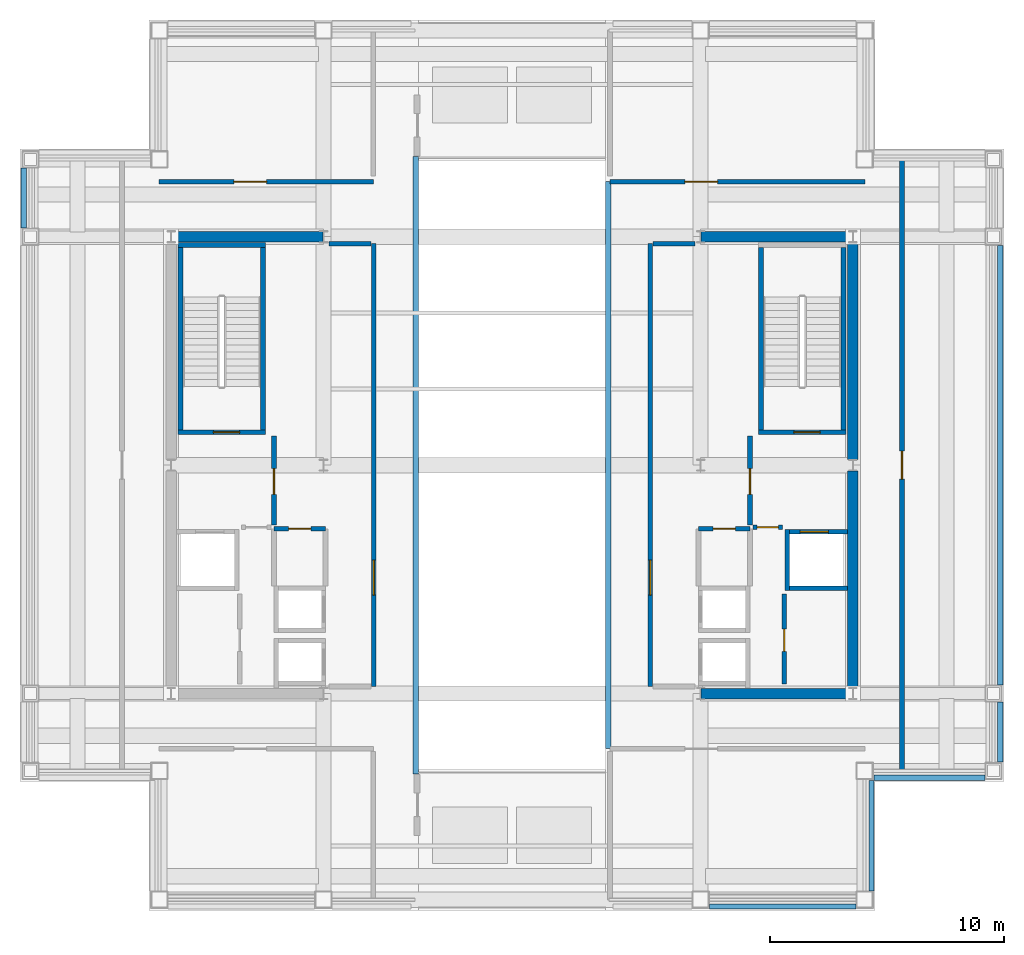
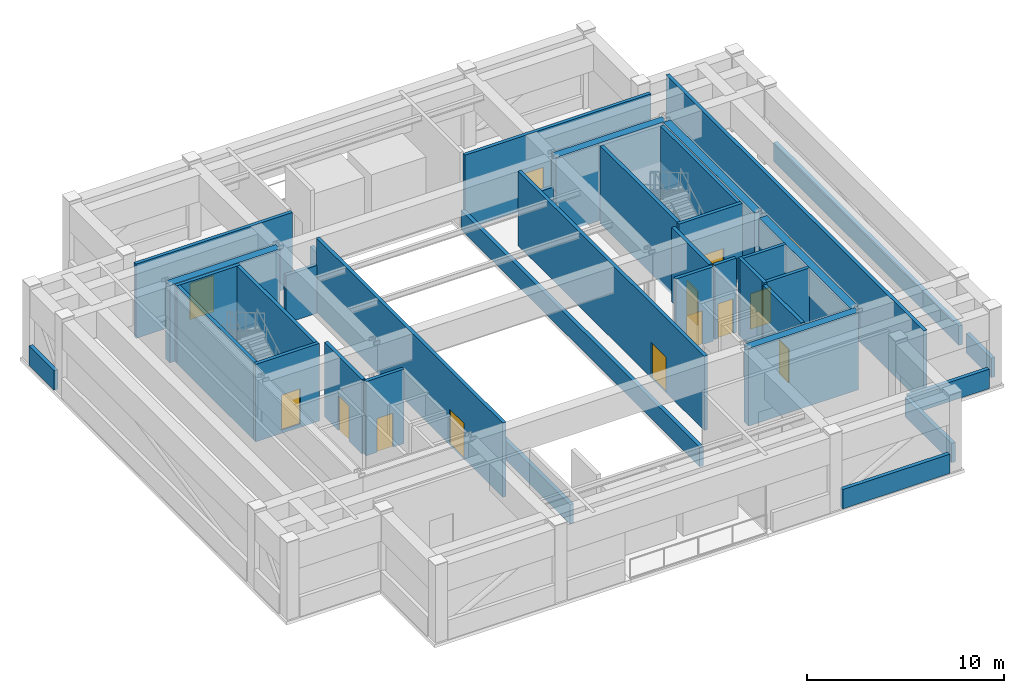
# One storey, part 4 of 8: 36 walls, 14 doors, 14 openings.
"""IFC4 building model written with IfcOpenShell, lengths in metres."""

from ifc_helpers import new_model, si_unit, direction, frame, frame_2d, origin, place, context, subcontext, project, spatial, rectangle, extrude, material, layer, layer_set, type_object, element, fill, save


model = new_model("IFC4")

# Units and contexts
model_context = context("Model", 3, precision=1e-05, world=origin(), true_north=direction((0.0, 1.0)))
body_context = subcontext(model_context, "Body", "Model", "MODEL_VIEW")
ifc_project = project(units=[si_unit("LENGTHUNIT", "METRE"), si_unit("AREAUNIT", "SQUARE_METRE"), si_unit("VOLUMEUNIT", "CUBIC_METRE"), si_unit("PLANEANGLEUNIT", "RADIAN"), si_unit("MASSUNIT", "GRAM", prefix="KILO")], contexts=[model_context])

# Site, building, storey
site_placement = place(None, origin())
site = spatial("IfcSite", under=ifc_project, at=site_placement, CompositionType="ELEMENT")
building_placement = place(site_placement, origin())
building = spatial("IfcBuilding", under=site, at=building_placement, Name="Brelmoor Portico Tower", CompositionType="ELEMENT")
storey_placement = place(building_placement, frame((0.0, 0.0, 209.10009765625)))
storey = spatial("IfcBuildingStorey", under=building, at=storey_placement, Name="L55", CompositionType="ELEMENT", Elevation=209.10009765625)

# Walls
ifc_material_1 = material(Name="Concrete C50", Category="concrete")
ifc_layer_1 = layer(ifc_material_1, 0.449951171875)
ifc_layer_set_1 = layer_set([ifc_layer_1], Name="Concrete C50")
wall_type_1 = type_object("IfcWallType", Name="WL-CORE-450", PredefinedType="SHEAR", material=ifc_layer_set_1)
for number, where, z_axis, x_axis, name in (
    (1, (-14.530029296875, 9.75, -0.2001953125), (0.0, 0.0, 1.0), (1.0, 0.0, 0.0), "L55 WC North Shear Wall"),
    (2, (8.070068359375, -9.75, -0.2001953125), (0.0, 0.0, 1.0), (1.0, 0.0, 0.0), "L55 EC South Shear Wall"),
    (3, (8.070068359375, 9.75, -0.2001953125), (0.0, 0.0, 1.0), (1.0, 0.0, 0.0), "L55 EC North Shear Wall"),
):
    element("IfcWall", number, at=place(storey_placement, frame(where, z_axis=z_axis, x_axis=x_axis)), inside=storey, type_object=wall_type_1, Name=name, PredefinedType="SHEAR", context=body_context, shape_type="SweptSolid", body=[
        extrude(rectangle(XDim=6.4599609375, YDim=0.449951171875, at=frame_2d((3.22998046875, 0.0))), origin(), (0.0, 0.0, 1.0), 4.800048828125),
    ])
for number, where, z_axis, x_axis, name in (
    (4, (14.550048828125, -9.5, -0.2001953125), (0.0, 0.0, 1.0), (0.0, 1.0, 0.0), "L55 EC Outer South Shear Wall"),
    (5, (14.550048828125, 0.25, -0.2001953125), (0.0, 0.0, 1.0), (0.0, 1.0, 0.0), "L55 EC Outer North Shear Wall"),
):
    element("IfcWall", number, at=place(storey_placement, frame(where, z_axis=z_axis, x_axis=x_axis)), inside=storey, type_object=wall_type_1, Name=name, PredefinedType="SHEAR", context=body_context, shape_type="SweptSolid", body=[
        extrude(rectangle(XDim=9.25, YDim=0.449951171875, at=frame_2d((4.625, 0.0))), origin(), (0.0, 0.0, 1.0), 4.800048828125),
    ])
ifc_material_2 = material(Name="Concrete C40 Parapet Upstand", Category="concrete")
ifc_layer_2 = layer(ifc_material_2, 0.219970703125)
ifc_layer_set_2 = layer_set([ifc_layer_2], Name="Concrete C40 Parapet Upstand")
wall_type_2 = type_object("IfcWallType", Name="WL-PARAPET-220", PredefinedType="PARAPET", material=ifc_layer_set_2)
wall_1_placement = place(storey_placement, frame((8.419921875, -18.840087890625, 0.0), z_axis=(0.0, 0.0, 1.0), x_axis=(1.0, 0.0, 0.0)))
element("IfcWall", 6, at=wall_1_placement, inside=storey, type_object=wall_type_2, Name="L55 Plant Louvre Perimeter Upstand 04", PredefinedType="PARAPET", context=body_context, shape_type="SweptSolid", body=[
    extrude(rectangle(XDim=6.260009765625, YDim=0.219970703125, at=frame_2d((3.1298828125, 0.0))), origin(), (0.0, 0.0, 1.0), 1.199951171875),
])
for number, where, z_axis, x_axis, name in (
    (7, (-20.840087890625, 10.1201171875, 0.0), (0.0, 0.0, 1.0), (0.0, 1.0, 0.0), "L55 Plant Louvre Perimeter Upstand 11"),
    (8, (20.840087890625, -12.679931640625, 0.0), (0.0, 0.0, 1.0), (0.0, 1.0, 0.0), "L55 Plant Louvre Perimeter Upstand 12"),
):
    element("IfcWall", number, at=place(storey_placement, frame(where, z_axis=z_axis, x_axis=x_axis)), inside=storey, type_object=wall_type_2, Name=name, PredefinedType="PARAPET", context=body_context, shape_type="SweptSolid", body=[
        extrude(rectangle(XDim=2.559814453125, YDim=0.219970703125, at=frame_2d((1.27978515625, 0.0))), origin(), (0.0, 0.0, 1.0), 1.199951171875),
    ])
wall_2_placement = place(storey_placement, frame((20.840087890625, -9.3798828125, 0.0), z_axis=(0.0, 0.0, 1.0), x_axis=(0.0, 1.0, 0.0)))
element("IfcWall", 9, at=wall_2_placement, inside=storey, type_object=wall_type_2, Name="L55 Plant Louvre Perimeter Upstand 13", PredefinedType="PARAPET", context=body_context, shape_type="SweptSolid", body=[
    extrude(rectangle(XDim=18.759765625, YDim=0.219970703125, at=frame_2d((9.3798828125, 0.0))), origin(), (0.0, 0.0, 1.0), 1.199951171875),
])
for number, where, z_axis, x_axis, name in (
    (10, (15.340087890625, -18.179931640625, 0.0), (0.0, 0.0, 1.0), (0.0, 1.0, 0.0), "L55 Plant Louvre Perimeter Upstand 17"),
    (11, (15.4599609375, -13.340087890625, 0.0), (0.0, 0.0, 1.0), (1.0, 0.0, 0.0), "L55 Plant Louvre Perimeter Upstand 18"),
):
    element("IfcWall", number, at=place(storey_placement, frame(where, z_axis=z_axis, x_axis=x_axis)), inside=storey, type_object=wall_type_2, Name=name, PredefinedType="PARAPET", context=body_context, shape_type="SweptSolid", body=[
        extrude(rectangle(XDim=4.719970703125, YDim=0.219970703125, at=frame_2d((2.35986328125, 0.0))), origin(), (0.0, 0.0, 1.0), 1.199951171875),
    ])
wall_3_placement = place(storey_placement, frame((-4.110107421875, -13.179931640625, 0.0), z_axis=(0.0, 0.0, 1.0), x_axis=(0.0, 1.0, 0.0)))
element("IfcWall", 12, at=wall_3_placement, inside=storey, type_object=wall_type_2, Name="L55 Wind-Turbine Slot Parapet W", PredefinedType="PARAPET", context=body_context, shape_type="SweptSolid", body=[
    extrude(rectangle(XDim=26.35986328125, YDim=0.219970703125, at=frame_2d((13.179931640625, 0.0))), origin(), (0.0, 0.0, 1.0), 1.199951171875),
])
wall_4_placement = place(storey_placement, frame((4.110107421875, -12.10009765625, 0.0), z_axis=(0.0, 0.0, 1.0), x_axis=(0.0, 1.0, 0.0)))
element("IfcWall", 13, at=wall_4_placement, inside=storey, type_object=wall_type_2, Name="L55 Wind-Turbine Slot Parapet E", PredefinedType="PARAPET", context=body_context, shape_type="SweptSolid", body=[
    extrude(rectangle(XDim=24.2001953125, YDim=0.219970703125, at=frame_2d((12.10009765625, 0.0))), origin(), (0.0, 0.0, 1.0), 1.199951171875),
])

# Wall, opening, door
ifc_material_3 = material(Name="Double-Stud Gypsum Fire Partition", Category="gypsum")
ifc_layer_3 = layer(ifc_material_3, 0.199951171875)
ifc_layer_set_3 = layer_set([ifc_layer_3], Name="Double-Stud Gypsum Fire Partition")
wall_type_3 = type_object("IfcWallType", Name="WL-PART-200", PredefinedType="PARTITIONING", material=ifc_layer_set_3)
wall_5_placement = place(storey_placement, frame((-5.89990234375, -9.449951171875, 0.0), z_axis=(0.0, 0.0, 1.0), x_axis=(0.0, 1.0, 0.0)))
wall_5 = element("IfcWall", 14, at=wall_5_placement, inside=storey, type_object=wall_type_3, Name="L55 W Core Lobby Compartment Wall", PredefinedType="PARTITIONING", context=body_context, shape_type="SweptSolid", body=[
    extrude(rectangle(XDim=18.89990234375, YDim=0.199951171875, at=frame_2d((9.449951171875, 0.0))), origin(), (0.0, 0.0, 1.0), 4.599853515625),
])
opening_1_placement = place(wall_5_placement, frame((3.89990234375, 0.0, 0.0)))
opening_1 = element("IfcOpeningElement", 15, at=opening_1_placement, cuts=wall_5, Name="Opening D-LB1", PredefinedType="OPENING", context=body_context, shape_type="SweptSolid", body=[
    extrude(rectangle(XDim=1.5, YDim=2.199951171875, at=frame_2d((0.75, 1.10009765625))), frame((0.0, 0.10986328125, 0.0), z_axis=(0.0, -1.0, 0.0), x_axis=(1.0, 0.0, 0.0)), (0.0, 0.0, 1.0), 0.219970703125),
])
ifc_material_4 = material(Name="Double-Leaf Glazed Steel Fire Door", Category="steel")
door_type_1 = type_object("IfcDoorType", Name="DR-LOBBY-1500", OperationType="NOTDEFINED", PredefinedType="DOOR", material=ifc_material_4)
door_1_placement = place(opening_1_placement, origin())
door_1 = element("IfcDoor", 16, at=door_1_placement, inside=storey, type_object=door_type_1, Name="D-2309 L55 W Lift Lobby Main Door", OperationType="DOUBLE_DOOR_SINGLE_SWING", OverallHeight=2.199951171875, OverallWidth=1.5, PredefinedType="DOOR", context=body_context, shape_type="SweptSolid", body=[
    extrude(rectangle(XDim=1.5, YDim=2.199951171875, at=frame_2d((0.75, 1.10009765625))), frame((0.0, 0.02490234375, 0.0), z_axis=(0.0, -1.0, 0.0), x_axis=(1.0, 0.0, 0.0)), (0.0, 0.0, 1.0), 0.050048828125),
])
fill(opening_1, door_1)

# Wall
wall_6_placement = place(storey_placement, frame((-6.02001953125, 9.449951171875, 0.0), z_axis=(0.0, 0.0, 1.0), x_axis=(-1.0, 0.0, 0.0)))
element("IfcWall", 17, at=wall_6_placement, inside=storey, type_object=wall_type_3, Name="L55 W Lift Lobby North End Wall", PredefinedType="PARTITIONING", context=body_context, shape_type="SweptSolid", body=[
    extrude(rectangle(XDim=1.800048828125, YDim=0.199951171875, at=frame_2d((0.89990234375, 0.0))), origin(), (0.0, 0.0, 1.0), 2.9599609375),
])

# Wall, opening, door
wall_7_placement = place(storey_placement, frame((-10.159912109375, -2.550048828125, 0.0), z_axis=(0.0, 0.0, 1.0), x_axis=(0.0, 1.0, 0.0)))
wall_7 = element("IfcWall", 18, at=wall_7_placement, inside=storey, type_object=wall_type_3, Name="L55 W Firefighting Lobby Wall", PredefinedType="PARTITIONING", context=body_context, shape_type="SweptSolid", body=[
    extrude(rectangle(XDim=3.800048828125, YDim=0.199951171875, at=frame_2d((1.89990234375, 0.0))), origin(), (0.0, 0.0, 1.0), 4.599853515625),
])
opening_2_placement = place(wall_7_placement, frame((1.300048828125, 0.0, 0.0)))
opening_2 = element("IfcOpeningElement", 19, at=opening_2_placement, cuts=wall_7, Name="Opening D-FR1", PredefinedType="OPENING", context=body_context, shape_type="SweptSolid", body=[
    extrude(rectangle(XDim=1.10009765625, YDim=2.14990234375, at=frame_2d((0.550048828125, 1.074951171875))), frame((0.0, 0.10986328125, 0.0), z_axis=(0.0, -1.0, 0.0), x_axis=(1.0, 0.0, 0.0)), (0.0, 0.0, 1.0), 0.219970703125),
])
ifc_material_5 = material(Name="Painted Galvanised Steel Fire Door", Category="steel")
door_type_2 = type_object("IfcDoorType", Name="DR-FIRE-1100", OperationType="NOTDEFINED", PredefinedType="DOOR", material=ifc_material_5)
door_2_placement = place(opening_2_placement, origin())
door_2 = element("IfcDoor", 20, at=door_2_placement, inside=storey, type_object=door_type_2, Name="D-2307 L55 W Firefighting Lobby Door", OperationType="SINGLE_SWING_RIGHT", OverallHeight=2.14990234375, OverallWidth=1.10009765625, PredefinedType="DOOR", context=body_context, shape_type="SweptSolid", body=[
    extrude(rectangle(XDim=1.10009765625, YDim=2.14990234375, at=frame_2d((0.550048828125, 1.074951171875))), frame((0.0, 0.02490234375, 0.0), z_axis=(0.0, -1.0, 0.0), x_axis=(1.0, 0.0, 0.0)), (0.0, 0.0, 1.0), 0.050048828125),
])
fill(opening_2, door_2)

wall_8_placement = place(storey_placement, frame((-7.9599609375, -2.719970703125, 0.0), z_axis=(0.0, 0.0, 1.0), x_axis=(-1.0, 0.0, 0.0)))
wall_8 = element("IfcWall", 21, at=wall_8_placement, inside=storey, type_object=wall_type_3, Name="L55 W Electrical Switchgear Closet Wall", PredefinedType="PARTITIONING", context=body_context, shape_type="SweptSolid", body=[
    extrude(rectangle(XDim=2.199951171875, YDim=0.199951171875, at=frame_2d((1.10009765625, 0.0))), origin(), (0.0, 0.0, 1.0), 4.599853515625),
])
opening_3_placement = place(wall_8_placement, frame((0.6201171875, 0.0, 0.0)))
opening_3 = element("IfcOpeningElement", 22, at=opening_3_placement, cuts=wall_8, Name="Opening D-FR4", PredefinedType="OPENING", context=body_context, shape_type="SweptSolid", body=[
    extrude(rectangle(XDim=0.949951171875, YDim=2.10009765625, at=frame_2d((0.47509765625, 1.050048828125))), frame((0.0, 0.10986328125, 0.0), z_axis=(0.0, -1.0, 0.0), x_axis=(1.0, 0.0, 0.0)), (0.0, 0.0, 1.0), 0.219970703125),
])
ifc_material_6 = material(Name="Painted Galvanised Steel Riser Door", Category="steel")
door_type_3 = type_object("IfcDoorType", Name="DR-FIRE-950", OperationType="NOTDEFINED", PredefinedType="DOOR", material=ifc_material_6)
door_3_placement = place(opening_3_placement, origin())
door_3 = element("IfcDoor", 23, at=door_3_placement, inside=storey, type_object=door_type_3, Name="D-2305 L55 W Electrical Switchgear Closet Door", OperationType="SINGLE_SWING_RIGHT", OverallHeight=2.10009765625, OverallWidth=0.949951171875, PredefinedType="DOOR", context=body_context, shape_type="SweptSolid", body=[
    extrude(rectangle(XDim=0.949951171875, YDim=2.10009765625, at=frame_2d((0.47509765625, 1.050048828125))), frame((0.0, 0.02490234375, 0.0), z_axis=(0.0, -1.0, 0.0), x_axis=(1.0, 0.0, 0.0)), (0.0, 0.0, 1.0), 0.050048828125),
])
fill(opening_3, door_3)

wall_9_placement = place(storey_placement, frame((5.89990234375, -9.449951171875, 0.0), z_axis=(0.0, 0.0, 1.0), x_axis=(0.0, 1.0, 0.0)))
wall_9 = element("IfcWall", 24, at=wall_9_placement, inside=storey, type_object=wall_type_3, Name="L55 E Core Lobby Compartment Wall", PredefinedType="PARTITIONING", context=body_context, shape_type="SweptSolid", body=[
    extrude(rectangle(XDim=18.89990234375, YDim=0.199951171875, at=frame_2d((9.449951171875, 0.0))), origin(), (0.0, 0.0, 1.0), 4.599853515625),
])
opening_4_placement = place(wall_9_placement, frame((3.89990234375, 0.0, 0.0)))
opening_4 = element("IfcOpeningElement", 25, at=opening_4_placement, cuts=wall_9, Name="Opening D-LB1", PredefinedType="OPENING", context=body_context, shape_type="SweptSolid", body=[
    extrude(rectangle(XDim=1.5, YDim=2.199951171875, at=frame_2d((0.75, 1.10009765625))), frame((0.0, 0.10986328125, 0.0), z_axis=(0.0, -1.0, 0.0), x_axis=(1.0, 0.0, 0.0)), (0.0, 0.0, 1.0), 0.219970703125),
])
door_4_placement = place(opening_4_placement, origin())
door_4 = element("IfcDoor", 26, at=door_4_placement, inside=storey, type_object=door_type_1, Name="D-2308 L55 E Lift Lobby Main Door", OperationType="DOUBLE_DOOR_SINGLE_SWING", OverallHeight=2.199951171875, OverallWidth=1.5, PredefinedType="DOOR", context=body_context, shape_type="SweptSolid", body=[
    extrude(rectangle(XDim=1.5, YDim=2.199951171875, at=frame_2d((0.75, 1.10009765625))), frame((0.0, 0.02490234375, 0.0), z_axis=(0.0, -1.0, 0.0), x_axis=(1.0, 0.0, 0.0)), (0.0, 0.0, 1.0), 0.050048828125),
])
fill(opening_4, door_4)

# Wall
wall_10_placement = place(storey_placement, frame((6.02001953125, 9.449951171875, 0.0), z_axis=(0.0, 0.0, 1.0), x_axis=(1.0, 0.0, 0.0)))
element("IfcWall", 27, at=wall_10_placement, inside=storey, type_object=wall_type_3, Name="L55 E Lift Lobby North End Wall", PredefinedType="PARTITIONING", context=body_context, shape_type="SweptSolid", body=[
    extrude(rectangle(XDim=1.800048828125, YDim=0.199951171875, at=frame_2d((0.89990234375, 0.0))), origin(), (0.0, 0.0, 1.0), 2.9599609375),
])

# Wall, opening, door
wall_11_placement = place(storey_placement, frame((10.159912109375, -2.550048828125, 0.0), z_axis=(0.0, 0.0, 1.0), x_axis=(0.0, 1.0, 0.0)))
wall_11 = element("IfcWall", 28, at=wall_11_placement, inside=storey, type_object=wall_type_3, Name="L55 E Firefighting Lobby Wall", PredefinedType="PARTITIONING", context=body_context, shape_type="SweptSolid", body=[
    extrude(rectangle(XDim=3.800048828125, YDim=0.199951171875, at=frame_2d((1.89990234375, 0.0))), origin(), (0.0, 0.0, 1.0), 4.599853515625),
])
opening_5_placement = place(wall_11_placement, frame((1.300048828125, 0.0, 0.0)))
opening_5 = element("IfcOpeningElement", 29, at=opening_5_placement, cuts=wall_11, Name="Opening D-FR1", PredefinedType="OPENING", context=body_context, shape_type="SweptSolid", body=[
    extrude(rectangle(XDim=1.10009765625, YDim=2.14990234375, at=frame_2d((0.550048828125, 1.074951171875))), frame((0.0, 0.10986328125, 0.0), z_axis=(0.0, -1.0, 0.0), x_axis=(1.0, 0.0, 0.0)), (0.0, 0.0, 1.0), 0.219970703125),
])
door_5_placement = place(opening_5_placement, origin())
door_5 = element("IfcDoor", 30, at=door_5_placement, inside=storey, type_object=door_type_2, Name="D-2306 L55 E Firefighting Lobby Door", OperationType="SINGLE_SWING_RIGHT", OverallHeight=2.14990234375, OverallWidth=1.10009765625, PredefinedType="DOOR", context=body_context, shape_type="SweptSolid", body=[
    extrude(rectangle(XDim=1.10009765625, YDim=2.14990234375, at=frame_2d((0.550048828125, 1.074951171875))), frame((0.0, 0.02490234375, 0.0), z_axis=(0.0, -1.0, 0.0), x_axis=(1.0, 0.0, 0.0)), (0.0, 0.0, 1.0), 0.050048828125),
])
fill(opening_5, door_5)

wall_12_placement = place(storey_placement, frame((10.280029296875, -2.64990234375, 0.0), z_axis=(0.0, 0.0, 1.0), x_axis=(1.0, 0.0, 0.0)))
wall_12 = element("IfcWall", 31, at=wall_12_placement, inside=storey, type_object=wall_type_3, Name="L55 E Firefighting Lobby South Wall", PredefinedType="PARTITIONING", context=body_context, shape_type="SweptSolid", body=[
    extrude(rectangle(XDim=1.27001953125, YDim=0.199951171875, at=frame_2d((0.635009765625, 0.0))), origin(), (0.0, 0.0, 1.0), 4.599853515625),
])
opening_6_placement = place(wall_12_placement, frame((0.18505859375, 0.0, 0.0)))
opening_6 = element("IfcOpeningElement", 32, at=opening_6_placement, cuts=wall_12, Name="Opening D-IN1", PredefinedType="OPENING", context=body_context, shape_type="SweptSolid", body=[
    extrude(rectangle(XDim=0.89990234375, YDim=2.14990234375, at=frame_2d((0.449951171875, 1.074951171875))), frame((0.0, 0.10986328125, 0.0), z_axis=(0.0, -1.0, 0.0), x_axis=(1.0, 0.0, 0.0)), (0.0, 0.0, 1.0), 0.219970703125),
])
ifc_material_7 = material(Name="Lacquered Timber Suite Door", Category="wood")
door_type_4 = type_object("IfcDoorType", Name="DR-INT-900", OperationType="NOTDEFINED", PredefinedType="DOOR", material=ifc_material_7)
door_6_placement = place(opening_6_placement, origin())
door_6 = element("IfcDoor", 33, at=door_6_placement, inside=storey, type_object=door_type_4, Name="D-2302 L55 E Core Service Vestibule Door", OperationType="SINGLE_SWING_LEFT", OverallHeight=2.14990234375, OverallWidth=0.89990234375, PredefinedType="DOOR", context=body_context, shape_type="SweptSolid", body=[
    extrude(rectangle(XDim=0.89990234375, YDim=2.14990234375, at=frame_2d((0.449951171875, 1.074951171875))), frame((0.0, 0.02490234375, 0.0), z_axis=(0.0, -1.0, 0.0), x_axis=(1.0, 0.0, 0.0)), (0.0, 0.0, 1.0), 0.050048828125),
])
fill(opening_6, door_6)

wall_13_placement = place(storey_placement, frame((7.9599609375, -2.719970703125, 0.0), z_axis=(0.0, 0.0, 1.0), x_axis=(1.0, 0.0, 0.0)))
wall_13 = element("IfcWall", 34, at=wall_13_placement, inside=storey, type_object=wall_type_3, Name="L55 E Electrical Switchgear Closet Wall", PredefinedType="PARTITIONING", context=body_context, shape_type="SweptSolid", body=[
    extrude(rectangle(XDim=2.199951171875, YDim=0.199951171875, at=frame_2d((1.10009765625, 0.0))), origin(), (0.0, 0.0, 1.0), 4.599853515625),
])
opening_7_placement = place(wall_13_placement, frame((0.6201171875, 0.0, 0.0)))
opening_7 = element("IfcOpeningElement", 35, at=opening_7_placement, cuts=wall_13, Name="Opening D-FR4", PredefinedType="OPENING", context=body_context, shape_type="SweptSolid", body=[
    extrude(rectangle(XDim=0.949951171875, YDim=2.10009765625, at=frame_2d((0.47509765625, 1.050048828125))), frame((0.0, 0.10986328125, 0.0), z_axis=(0.0, -1.0, 0.0), x_axis=(1.0, 0.0, 0.0)), (0.0, 0.0, 1.0), 0.219970703125),
])
door_7_placement = place(opening_7_placement, origin())
door_7 = element("IfcDoor", 36, at=door_7_placement, inside=storey, type_object=door_type_3, Name="D-2304 L55 E Electrical Switchgear Closet Door", OperationType="SINGLE_SWING_RIGHT", OverallHeight=2.10009765625, OverallWidth=0.949951171875, PredefinedType="DOOR", context=body_context, shape_type="SweptSolid", body=[
    extrude(rectangle(XDim=0.949951171875, YDim=2.10009765625, at=frame_2d((0.47509765625, 1.050048828125))), frame((0.0, 0.02490234375, 0.0), z_axis=(0.0, -1.0, 0.0), x_axis=(1.0, 0.0, 0.0)), (0.0, 0.0, 1.0), 0.050048828125),
])
fill(opening_7, door_7)

wall_14_placement = place(storey_placement, frame((11.6201171875, -9.35009765625, 0.0), z_axis=(0.0, 0.0, 1.0), x_axis=(0.0, 1.0, 0.0)))
wall_14 = element("IfcWall", 37, at=wall_14_placement, inside=storey, type_object=wall_type_3, Name="L55 E Mechanical Equipment Closet Wall", PredefinedType="PARTITIONING", context=body_context, shape_type="SweptSolid", body=[
    extrude(rectangle(XDim=3.85009765625, YDim=0.199951171875, at=frame_2d((1.925048828125, 0.0))), origin(), (0.0, 0.0, 1.0), 4.599853515625),
])
opening_8_placement = place(wall_14_placement, frame((1.39990234375, 0.0, 0.0)))
opening_8 = element("IfcOpeningElement", 38, at=opening_8_placement, cuts=wall_14, Name="Opening D-FR4", PredefinedType="OPENING", context=body_context, shape_type="SweptSolid", body=[
    extrude(rectangle(XDim=0.949951171875, YDim=2.10009765625, at=frame_2d((0.47509765625, 1.050048828125))), frame((0.0, 0.10986328125, 0.0), z_axis=(0.0, -1.0, 0.0), x_axis=(1.0, 0.0, 0.0)), (0.0, 0.0, 1.0), 0.219970703125),
])
door_8_placement = place(opening_8_placement, origin())
door_8 = element("IfcDoor", 39, at=door_8_placement, inside=storey, type_object=door_type_3, Name="D-2300 L55 E Mechanical Equipment Closet Door", OperationType="SINGLE_SWING_LEFT", OverallHeight=2.10009765625, OverallWidth=0.949951171875, PredefinedType="DOOR", context=body_context, shape_type="SweptSolid", body=[
    extrude(rectangle(XDim=0.949951171875, YDim=2.10009765625, at=frame_2d((0.47509765625, 1.050048828125))), frame((0.0, 0.02490234375, 0.0), z_axis=(0.0, -1.0, 0.0), x_axis=(1.0, 0.0, 0.0)), (0.0, 0.0, 1.0), 0.050048828125),
])
fill(opening_8, door_8)

wall_15_placement = place(storey_placement, frame((16.64990234375, -13.070068359375, 0.0), z_axis=(0.0, 0.0, 1.0), x_axis=(0.0, 1.0, 0.0)))
wall_15 = element("IfcWall", 40, at=wall_15_placement, inside=storey, type_object=wall_type_3, Name="L55 Pressurised Refuge Area East Fire Wall", PredefinedType="PARTITIONING", context=body_context, shape_type="SweptSolid", body=[
    extrude(rectangle(XDim=26.14013671875, YDim=0.199951171875, at=frame_2d((13.070068359375, 0.0))), origin(), (0.0, 0.0, 1.0), 4.599853515625),
])
opening_9_placement = place(wall_15_placement, frame((12.469970703125, 0.0, 0.0)))
opening_9 = element("IfcOpeningElement", 41, at=opening_9_placement, cuts=wall_15, Name="Opening D-FR3", PredefinedType="OPENING", context=body_context, shape_type="SweptSolid", body=[
    extrude(rectangle(XDim=1.199951171875, YDim=2.219970703125, at=frame_2d((0.60009765625, 1.10986328125))), frame((0.0, 0.10986328125, 0.0), z_axis=(0.0, -1.0, 0.0), x_axis=(1.0, 0.0, 0.0)), (0.0, 0.0, 1.0), 0.219970703125),
])
door_type_5 = type_object("IfcDoorType", Name="DR-FIRE-1200", OperationType="NOTDEFINED", PredefinedType="DOOR", material=ifc_material_5)
door_9_placement = place(opening_9_placement, origin())
door_9 = element("IfcDoor", 42, at=door_9_placement, inside=storey, type_object=door_type_5, Name="D-2314 L55 Pressurised Refuge Area East Door", OperationType="SINGLE_SWING_LEFT", OverallHeight=2.219970703125, OverallWidth=1.199951171875, PredefinedType="DOOR", context=body_context, shape_type="SweptSolid", body=[
    extrude(rectangle(XDim=1.199951171875, YDim=2.219970703125, at=frame_2d((0.60009765625, 1.10986328125))), frame((0.0, 0.02490234375, 0.0), z_axis=(0.0, -1.0, 0.0), x_axis=(1.0, 0.0, 0.0)), (0.0, 0.0, 1.0), 0.050048828125),
])
fill(opening_9, door_9)

wall_16_placement = place(storey_placement, frame((-15.070068359375, 12.10009765625, 0.0), z_axis=(0.0, 0.0, 1.0), x_axis=(1.0, 0.0, 0.0)))
wall_16 = element("IfcWall", 43, at=wall_16_placement, inside=storey, type_object=wall_type_3, Name="L55 Chiller and Heat-Exchanger Plant Wall", PredefinedType="PARTITIONING", context=body_context, shape_type="SweptSolid", body=[
    extrude(rectangle(XDim=9.150146484375, YDim=0.199951171875, at=frame_2d((4.5751953125, 0.0))), origin(), (0.0, 0.0, 1.0), 4.599853515625),
])
opening_10_placement = place(wall_16_placement, frame((3.199951171875, 0.0, 0.0)))
opening_10 = element("IfcOpeningElement", 44, at=opening_10_placement, cuts=wall_16, Name="Opening D-PL1", PredefinedType="OPENING", context=body_context, shape_type="SweptSolid", body=[
    extrude(rectangle(XDim=1.39990234375, YDim=2.25, at=frame_2d((0.699951171875, 1.125))), frame((0.0, 0.10986328125, 0.0), z_axis=(0.0, -1.0, 0.0), x_axis=(1.0, 0.0, 0.0)), (0.0, 0.0, 1.0), 0.219970703125),
])
ifc_material_8 = material(Name="Double-Leaf Acoustic Steel Plant Door", Category="steel")
door_type_6 = type_object("IfcDoorType", Name="DR-PLANT-1400", OperationType="NOTDEFINED", PredefinedType="DOOR", material=ifc_material_8)
door_10_placement = place(opening_10_placement, origin())
door_10 = element("IfcDoor", 45, at=door_10_placement, inside=storey, type_object=door_type_6, Name="D-2311 L55 Chiller and Heat-Exchanger Plant Door", OperationType="DOUBLE_DOOR_SINGLE_SWING", OverallHeight=2.25, OverallWidth=1.39990234375, PredefinedType="DOOR", context=body_context, shape_type="SweptSolid", body=[
    extrude(rectangle(XDim=1.39990234375, YDim=2.25, at=frame_2d((0.699951171875, 1.125))), frame((0.0, 0.02490234375, 0.0), z_axis=(0.0, -1.0, 0.0), x_axis=(1.0, 0.0, 0.0)), (0.0, 0.0, 1.0), 0.050048828125),
])
fill(opening_10, door_10)

wall_17_placement = place(storey_placement, frame((4.179931640625, 12.10009765625, 0.0), z_axis=(0.0, 0.0, 1.0), x_axis=(1.0, 0.0, 0.0)))
wall_17 = element("IfcWall", 46, at=wall_17_placement, inside=storey, type_object=wall_type_3, Name="L55 Primary Air-Handling Plant Wall", PredefinedType="PARTITIONING", context=body_context, shape_type="SweptSolid", body=[
    extrude(rectangle(XDim=10.89013671875, YDim=0.199951171875, at=frame_2d((5.445068359375, 0.0))), origin(), (0.0, 0.0, 1.0), 4.599853515625),
])
opening_11_placement = place(wall_17_placement, frame((3.199951171875, 0.0, 0.0)))
opening_11 = element("IfcOpeningElement", 47, at=opening_11_placement, cuts=wall_17, Name="Opening D-PL1", PredefinedType="OPENING", context=body_context, shape_type="SweptSolid", body=[
    extrude(rectangle(XDim=1.39990234375, YDim=2.25, at=frame_2d((0.699951171875, 1.125))), frame((0.0, 0.10986328125, 0.0), z_axis=(0.0, -1.0, 0.0), x_axis=(1.0, 0.0, 0.0)), (0.0, 0.0, 1.0), 0.219970703125),
])
door_11_placement = place(opening_11_placement, origin())
door_11 = element("IfcDoor", 48, at=door_11_placement, inside=storey, type_object=door_type_6, Name="D-2310 L55 Primary Air-Handling Plant Door", OperationType="DOUBLE_DOOR_SINGLE_SWING", OverallHeight=2.25, OverallWidth=1.39990234375, PredefinedType="DOOR", context=body_context, shape_type="SweptSolid", body=[
    extrude(rectangle(XDim=1.39990234375, YDim=2.25, at=frame_2d((0.699951171875, 1.125))), frame((0.0, 0.02490234375, 0.0), z_axis=(0.0, -1.0, 0.0), x_axis=(1.0, 0.0, 0.0)), (0.0, 0.0, 1.0), 0.050048828125),
])
fill(opening_11, door_11)

ifc_material_9 = material(Name="Precast Concrete C40", Category="concrete")
ifc_layer_4 = layer(ifc_material_9, 0.18994140625)
ifc_layer_set_4 = layer_set([ifc_layer_4], Name="Precast Concrete C40")
wall_type_4 = type_object("IfcWallType", Name="WL-SHAFT-180", PredefinedType="SOLIDWALL", material=ifc_layer_set_4)
wall_18_placement = place(storey_placement, frame((11.64990234375, -2.844970703125, -0.2001953125), z_axis=(0.0, 0.0, 1.0), x_axis=(1.0, 0.0, 0.0)))
wall_18 = element("IfcWall", 49, at=wall_18_placement, inside=storey, type_object=wall_type_4, Name="L55 Lift FF2 Hoistway Front Wall", PredefinedType="SOLIDWALL", context=body_context, shape_type="SweptSolid", body=[
    extrude(rectangle(XDim=2.68017578125, YDim=0.18994140625, at=frame_2d((1.340087890625, 0.0))), origin(), (0.0, 0.0, 1.0), 4.800048828125),
])
opening_12_placement = place(wall_18_placement, frame((0.64990234375, 0.0, 0.199951171875)))
opening_12 = element("IfcOpeningElement", 50, at=opening_12_placement, cuts=wall_18, Name="Opening LD-02", PredefinedType="OPENING", context=body_context, shape_type="SweptSolid", body=[
    extrude(rectangle(XDim=1.199951171875, YDim=2.199951171875, at=frame_2d((0.60009765625, 1.10009765625))), frame((0.0, 0.10498046875, 0.0), z_axis=(0.0, -1.0, 0.0), x_axis=(1.0, 0.0, 0.0)), (0.0, 0.0, 1.0), 0.2099609375),
])
ifc_material_10 = material(Name="Brushed Stainless Steel Firefighting Lift Door", Category="steel")
door_type_7 = type_object("IfcDoorType", Name="DR-LIFT-1200", OperationType="NOTDEFINED", PredefinedType="DOOR", material=ifc_material_10)
door_12_placement = place(opening_12_placement, origin())
door_12 = element("IfcDoor", 51, at=door_12_placement, inside=storey, type_object=door_type_7, Name="D-2321 L55 Lift FF2 Sliding Landing Door", OperationType="SLIDING_TO_LEFT", OverallHeight=2.199951171875, OverallWidth=1.199951171875, PredefinedType="DOOR", context=body_context, shape_type="SweptSolid", body=[
    extrude(rectangle(XDim=1.199951171875, YDim=2.199951171875, at=frame_2d((0.60009765625, 1.10009765625))), frame((0.0, 0.02490234375, 0.0), z_axis=(0.0, -1.0, 0.0), x_axis=(1.0, 0.0, 0.0)), (0.0, 0.0, 1.0), 0.050048828125),
])
fill(opening_12, door_12)

# Walls
wall_19_placement = place(storey_placement, frame((11.64990234375, -5.2548828125, -0.2001953125), z_axis=(0.0, 0.0, 1.0), x_axis=(1.0, 0.0, 0.0)))
element("IfcWall", 52, at=wall_19_placement, inside=storey, type_object=wall_type_4, Name="L55 Firefighting Lift FF2 South Wall", PredefinedType="SOLIDWALL", context=body_context, shape_type="SweptSolid", body=[
    extrude(rectangle(XDim=2.68017578125, YDim=0.18994140625, at=frame_2d((1.340087890625, 0.0))), origin(), (0.0, 0.0, 1.0), 4.800048828125),
])
wall_20_placement = place(storey_placement, frame((11.7451171875, -5.35009765625, -0.2001953125), z_axis=(0.0, 0.0, 1.0), x_axis=(0.0, 1.0, 0.0)))
element("IfcWall", 53, at=wall_20_placement, inside=storey, type_object=wall_type_4, Name="L55 Firefighting Lift FF2 Inner Wall", PredefinedType="SOLIDWALL", context=body_context, shape_type="SweptSolid", body=[
    extrude(rectangle(XDim=2.60009765625, YDim=0.18994140625, at=frame_2d((1.300048828125, 0.0))), origin(), (0.0, 0.0, 1.0), 4.800048828125),
])
ifc_material_11 = material(Name="Concrete C40", Category="concrete")
ifc_layer_5 = layer(ifc_material_11, 0.199951171875)
ifc_layer_set_5 = layer_set([ifc_layer_5], Name="Concrete C40")
wall_type_5 = type_object("IfcWallType", Name="WL-SHAFT-RC200", PredefinedType="SOLIDWALL", material=ifc_layer_set_5)
for number, where, z_axis, x_axis, name in (
    (54, (-14.14990234375, 1.5, -0.2001953125), (0.0, 0.0, 1.0), (0.0, 1.0, 0.0), "L55 ST-W Structural Stair Wall Outer"),
    (55, (14.14990234375, 1.5, -0.2001953125), (0.0, 0.0, 1.0), (0.0, 1.0, 0.0), "L55 ST-E Structural Stair Wall Outer"),
):
    element("IfcWall", number, at=place(storey_placement, frame(where, z_axis=z_axis, x_axis=x_axis)), inside=storey, type_object=wall_type_5, Name=name, PredefinedType="SOLIDWALL", context=body_context, shape_type="SweptSolid", body=[
        extrude(rectangle(XDim=7.800048828125, YDim=0.199951171875, at=frame_2d((3.89990234375, 0.0))), origin(), (0.0, 0.0, 1.0), 4.800048828125),
    ])

# Wall, opening, door
wall_21_placement = place(storey_placement, frame((-14.25, 1.39990234375, -0.2001953125), z_axis=(0.0, 0.0, 1.0), x_axis=(1.0, 0.0, 0.0)))
wall_21 = element("IfcWall", 56, at=wall_21_placement, inside=storey, type_object=wall_type_5, Name="L55 ST-W Structural Stair Wall S", PredefinedType="SOLIDWALL", context=body_context, shape_type="SweptSolid", body=[
    extrude(rectangle(XDim=3.719970703125, YDim=0.199951171875, at=frame_2d((1.85986328125, 0.0))), origin(), (0.0, 0.0, 1.0), 4.800048828125),
])
opening_13_placement = place(wall_21_placement, frame((1.5, 0.0, 0.199951171875)))
opening_13 = element("IfcOpeningElement", 57, at=opening_13_placement, cuts=wall_21, Name="Opening D-ST1", PredefinedType="OPENING", context=body_context, shape_type="SweptSolid", body=[
    extrude(rectangle(XDim=1.1201171875, YDim=2.179931640625, at=frame_2d((0.56005859375, 1.08984375))), frame((0.0, 0.10986328125, 0.0), z_axis=(0.0, -1.0, 0.0), x_axis=(1.0, 0.0, 0.0)), (0.0, 0.0, 1.0), 0.219970703125),
])
door_type_8 = type_object("IfcDoorType", Name="DR-STAIR-1100", OperationType="NOTDEFINED", PredefinedType="DOOR", material=ifc_material_5)
door_13_placement = place(opening_13_placement, origin())
door_13 = element("IfcDoor", 58, at=door_13_placement, inside=storey, type_object=door_type_8, Name="D-2319 L55 ST-W Protected Exit Stair Door", OperationType="SINGLE_SWING_LEFT", OverallHeight=2.179931640625, OverallWidth=1.1201171875, PredefinedType="DOOR", context=body_context, shape_type="SweptSolid", body=[
    extrude(rectangle(XDim=1.1201171875, YDim=2.179931640625, at=frame_2d((0.56005859375, 1.08984375))), frame((0.0, 0.02490234375, 0.0), z_axis=(0.0, -1.0, 0.0), x_axis=(1.0, 0.0, 0.0)), (0.0, 0.0, 1.0), 0.050048828125),
])
fill(opening_13, door_13)

# Walls
wall_22_placement = place(storey_placement, frame((-14.25, 9.39990234375, -0.2001953125), z_axis=(0.0, 0.0, 1.0), x_axis=(1.0, 0.0, 0.0)))
element("IfcWall", 59, at=wall_22_placement, inside=storey, type_object=wall_type_5, Name="L55 ST-W Structural Stair Wall N", PredefinedType="SOLIDWALL", context=body_context, shape_type="SweptSolid", body=[
    extrude(rectangle(XDim=3.719970703125, YDim=0.199951171875, at=frame_2d((1.85986328125, 0.0))), origin(), (0.0, 0.0, 1.0), 4.800048828125),
])
wall_23_placement = place(storey_placement, frame((-10.6298828125, 1.5, -0.2001953125), z_axis=(0.0, 0.0, 1.0), x_axis=(0.0, 1.0, 0.0)))
element("IfcWall", 60, at=wall_23_placement, inside=storey, type_object=wall_type_5, Name="L55 ST-W Structural Stair Wall Inner", PredefinedType="SOLIDWALL", context=body_context, shape_type="SweptSolid", body=[
    extrude(rectangle(XDim=7.800048828125, YDim=0.199951171875, at=frame_2d((3.89990234375, 0.0))), origin(), (0.0, 0.0, 1.0), 4.800048828125),
])

# Wall, opening, door
wall_24_placement = place(storey_placement, frame((10.530029296875, 1.39990234375, -0.2001953125), z_axis=(0.0, 0.0, 1.0), x_axis=(1.0, 0.0, 0.0)))
wall_24 = element("IfcWall", 61, at=wall_24_placement, inside=storey, type_object=wall_type_5, Name="L55 ST-E Structural Stair Wall S", PredefinedType="SOLIDWALL", context=body_context, shape_type="SweptSolid", body=[
    extrude(rectangle(XDim=3.719970703125, YDim=0.199951171875, at=frame_2d((1.85986328125, 0.0))), origin(), (0.0, 0.0, 1.0), 4.800048828125),
])
opening_14_placement = place(wall_24_placement, frame((1.5, 0.0, 0.199951171875)))
opening_14 = element("IfcOpeningElement", 62, at=opening_14_placement, cuts=wall_24, Name="Opening D-ST1", PredefinedType="OPENING", context=body_context, shape_type="SweptSolid", body=[
    extrude(rectangle(XDim=1.1201171875, YDim=2.179931640625, at=frame_2d((0.56005859375, 1.08984375))), frame((0.0, 0.10986328125, 0.0), z_axis=(0.0, -1.0, 0.0), x_axis=(1.0, 0.0, 0.0)), (0.0, 0.0, 1.0), 0.219970703125),
])
door_14_placement = place(opening_14_placement, origin())
door_14 = element("IfcDoor", 63, at=door_14_placement, inside=storey, type_object=door_type_8, Name="D-2318 L55 ST-E Protected Exit Stair Door", OperationType="SINGLE_SWING_RIGHT", OverallHeight=2.179931640625, OverallWidth=1.1201171875, PredefinedType="DOOR", context=body_context, shape_type="SweptSolid", body=[
    extrude(rectangle(XDim=1.1201171875, YDim=2.179931640625, at=frame_2d((0.56005859375, 1.08984375))), frame((0.0, 0.02490234375, 0.0), z_axis=(0.0, -1.0, 0.0), x_axis=(1.0, 0.0, 0.0)), (0.0, 0.0, 1.0), 0.050048828125),
])
fill(opening_14, door_14)

# Wall
wall_25_placement = place(storey_placement, frame((10.6298828125, 1.5, -0.2001953125), z_axis=(0.0, 0.0, 1.0), x_axis=(0.0, 1.0, 0.0)))
element("IfcWall", 64, at=wall_25_placement, inside=storey, type_object=wall_type_5, Name="L55 ST-E Structural Stair Wall Inner", PredefinedType="SOLIDWALL", context=body_context, shape_type="SweptSolid", body=[
    extrude(rectangle(XDim=7.800048828125, YDim=0.199951171875, at=frame_2d((3.89990234375, 0.0))), origin(), (0.0, 0.0, 1.0), 4.800048828125),
])

save(model, "model.ifc")
